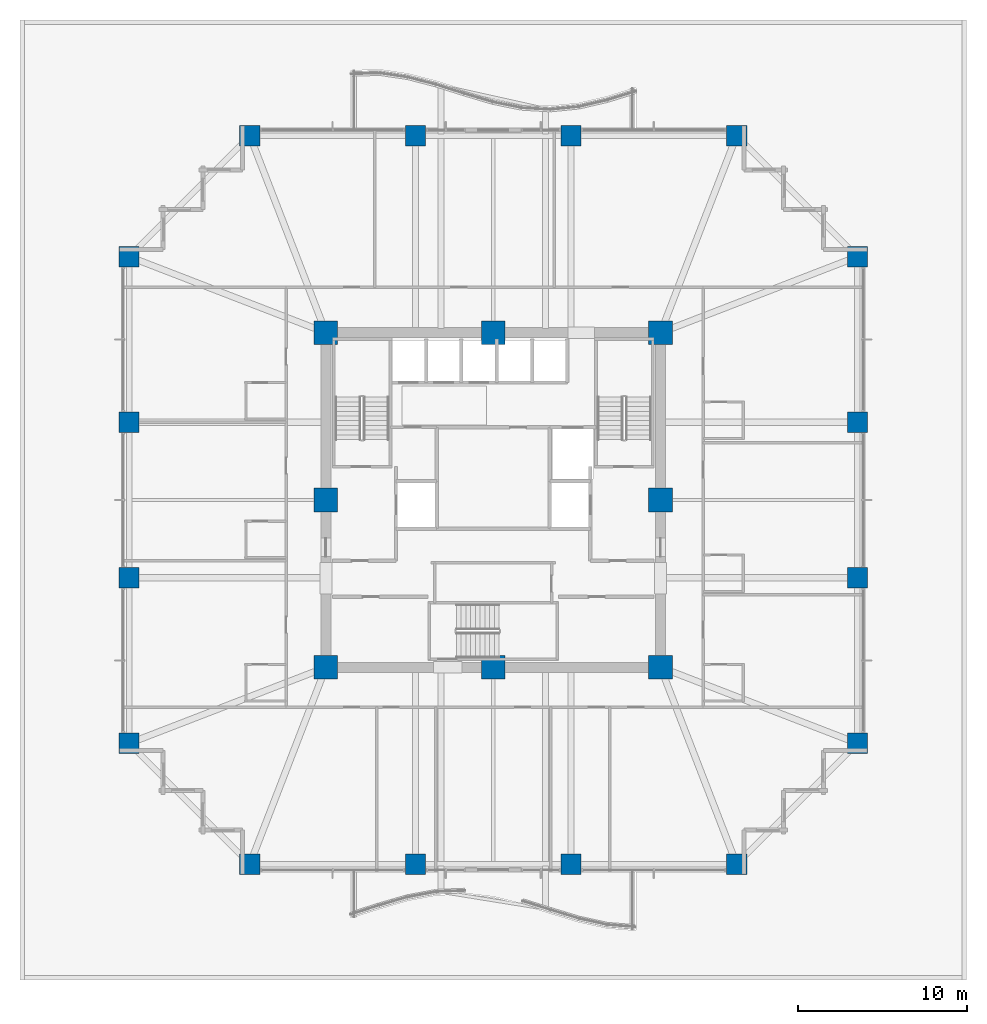
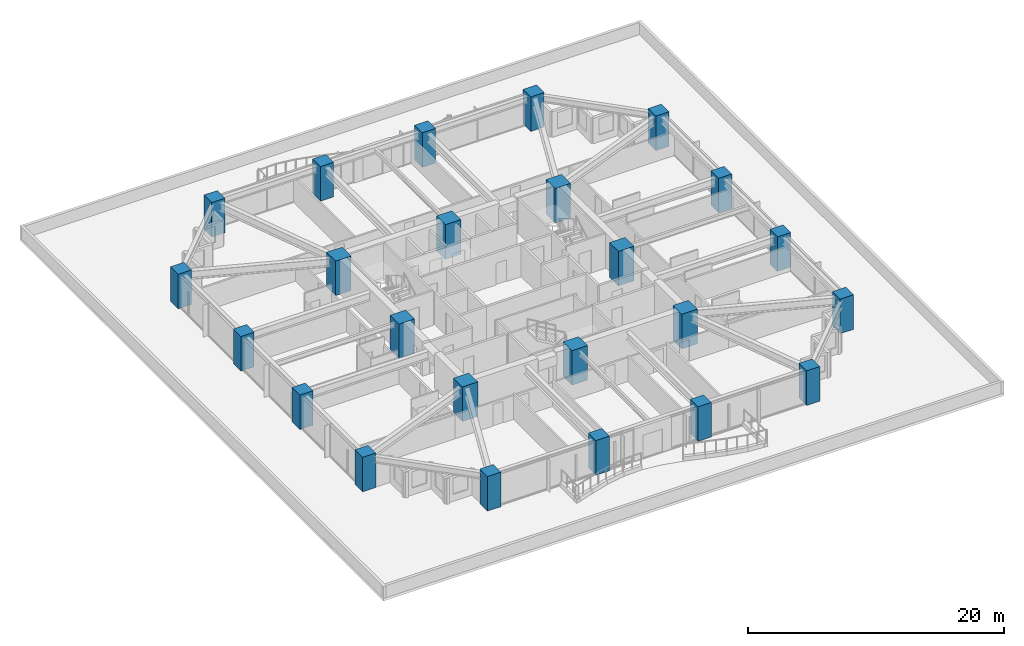
# One storey, part 1 of 36: 24 columns.
"""IFC4 building model written with IfcOpenShell, lengths in metres."""

from ifc_helpers import new_model, si_unit, direction, frame, origin, origin_2d, place, context, subcontext, project, spatial, rectangle, extrude, material, material_profile, profile_set, type_object, element, save


model = new_model("IFC4")

# Units and contexts
model_context = context("Model", 3, precision=1e-05, world=origin(), true_north=direction((0.0, 1.0)))
body_context = subcontext(model_context, "Body", "Model", "MODEL_VIEW")
ifc_project = project(units=[si_unit("LENGTHUNIT", "METRE"), si_unit("AREAUNIT", "SQUARE_METRE"), si_unit("VOLUMEUNIT", "CUBIC_METRE"), si_unit("PLANEANGLEUNIT", "RADIAN"), si_unit("MASSUNIT", "GRAM", prefix="KILO")], contexts=[model_context])

# Site, building, storey
site_placement = place(None, origin())
site = spatial("IfcSite", under=ifc_project, at=site_placement, CompositionType="ELEMENT")
building_placement = place(site_placement, origin())
building = spatial("IfcBuilding", under=site, at=building_placement, Name="Kolvaren Belvedere", CompositionType="ELEMENT")
storey_placement = place(building_placement, frame((0.0, 0.0, 23.800048828125)))
storey = spatial("IfcBuildingStorey", under=building, at=storey_placement, Name="L06", CompositionType="ELEMENT", Elevation=23.800048828125)

# Columns
ifc_material_1 = material(Name="Concrete C60/75", Category="concrete")
ifc_material_profile_1 = material_profile(ifc_material_1, rectangle(XDim=1.199951171875, YDim=1.199951171875, at=origin_2d()), Name="RC 1200X1200")
ifc_profile_set_1 = profile_set([ifc_material_profile_1], Name="Concrete C60/75")
column_type_1 = type_object("IfcColumnType", Name="COL-RC-1200", PredefinedType="COLUMN", material=ifc_profile_set_1)
for number, where, z_axis, x_axis, name in (
    (1, (-14.39990234375, -21.550048828125, 0.0), (0.0, 0.0, 1.0), (1.0, 0.0, 0.0), "L06 Perimeter Column S1"),
    (2, (-4.60009765625, -21.550048828125, 0.0), (0.0, 0.0, 1.0), (1.0, 0.0, 0.0), "L06 Perimeter Column S2"),
    (3, (4.60009765625, -21.550048828125, 0.0), (0.0, 0.0, 1.0), (1.0, 0.0, 0.0), "L06 Perimeter Column S3"),
    (4, (14.39990234375, -21.550048828125, 0.0), (0.0, 0.0, 1.0), (1.0, 0.0, 0.0), "L06 Perimeter Column S4"),
    (5, (-14.39990234375, 21.550048828125, 0.0), (0.0, 0.0, 1.0), (1.0, 0.0, 0.0), "L06 Perimeter Column N1"),
    (6, (-4.60009765625, 21.550048828125, 0.0), (0.0, 0.0, 1.0), (1.0, 0.0, 0.0), "L06 Perimeter Column N2"),
    (7, (4.60009765625, 21.550048828125, 0.0), (0.0, 0.0, 1.0), (1.0, 0.0, 0.0), "L06 Perimeter Column N3"),
    (8, (14.39990234375, 21.550048828125, 0.0), (0.0, 0.0, 1.0), (1.0, 0.0, 0.0), "L06 Perimeter Column N4"),
    (9, (-21.550048828125, -14.39990234375, 0.0), (0.0, 0.0, 1.0), (1.0, 0.0, 0.0), "L06 Perimeter Column W1"),
    (10, (-21.550048828125, -4.60009765625, 0.0), (0.0, 0.0, 1.0), (1.0, 0.0, 0.0), "L06 Perimeter Column W2"),
    (11, (-21.550048828125, 4.60009765625, 0.0), (0.0, 0.0, 1.0), (1.0, 0.0, 0.0), "L06 Perimeter Column W3"),
    (12, (-21.550048828125, 14.39990234375, 0.0), (0.0, 0.0, 1.0), (1.0, 0.0, 0.0), "L06 Perimeter Column W4"),
    (13, (21.550048828125, -14.39990234375, 0.0), (0.0, 0.0, 1.0), (1.0, 0.0, 0.0), "L06 Perimeter Column E1"),
    (14, (21.550048828125, -4.60009765625, 0.0), (0.0, 0.0, 1.0), (1.0, 0.0, 0.0), "L06 Perimeter Column E2"),
    (15, (21.550048828125, 4.60009765625, 0.0), (0.0, 0.0, 1.0), (1.0, 0.0, 0.0), "L06 Perimeter Column E3"),
    (16, (21.550048828125, 14.39990234375, 0.0), (0.0, 0.0, 1.0), (1.0, 0.0, 0.0), "L06 Perimeter Column E4"),
):
    element("IfcColumn", number, at=place(storey_placement, frame(where, z_axis=z_axis, x_axis=x_axis)), inside=storey, type_object=column_type_1, Name=name, PredefinedType="COLUMN", context=body_context, shape_type="SweptSolid", body=[
        extrude(rectangle(XDim=1.199951171875, YDim=1.199951171875, at=origin_2d()), origin(), (0.0, 0.0, 1.0), 3.300048828125),
    ])
ifc_material_2 = material(Name="Concrete C60/75", Category="concrete")
ifc_material_profile_2 = material_profile(ifc_material_2, rectangle(XDim=1.39990234375, YDim=1.39990234375, at=origin_2d()), Name="RC 1400X1400")
ifc_profile_set_2 = profile_set([ifc_material_profile_2], Name="Concrete C60/75")
column_type_2 = type_object("IfcColumnType", Name="COL-RC-1400", PredefinedType="COLUMN", material=ifc_profile_set_2)
for number, where, z_axis, x_axis, name in (
    (17, (-9.89990234375, -9.89990234375, 0.0), (0.0, 0.0, 1.0), (1.0, 0.0, 0.0), "L06 Core Column CC1"),
    (18, (9.89990234375, -9.89990234375, 0.0), (0.0, 0.0, 1.0), (1.0, 0.0, 0.0), "L06 Core Column CC2"),
    (19, (9.89990234375, 9.89990234375, 0.0), (0.0, 0.0, 1.0), (1.0, 0.0, 0.0), "L06 Core Column CC3"),
    (20, (-9.89990234375, 9.89990234375, 0.0), (0.0, 0.0, 1.0), (1.0, 0.0, 0.0), "L06 Core Column CC4"),
    (21, (0.0, -9.89990234375, 0.0), (0.0, 0.0, 1.0), (1.0, 0.0, 0.0), "L06 Core Column CM1"),
    (22, (9.89990234375, 0.0, 0.0), (0.0, 0.0, 1.0), (1.0, 0.0, 0.0), "L06 Core Column CM2"),
    (23, (0.0, 9.89990234375, 0.0), (0.0, 0.0, 1.0), (1.0, 0.0, 0.0), "L06 Core Column CM3"),
    (24, (-9.89990234375, 0.0, 0.0), (0.0, 0.0, 1.0), (1.0, 0.0, 0.0), "L06 Core Column CM4"),
):
    element("IfcColumn", number, at=place(storey_placement, frame(where, z_axis=z_axis, x_axis=x_axis)), inside=storey, type_object=column_type_2, Name=name, PredefinedType="COLUMN", context=body_context, shape_type="SweptSolid", body=[
        extrude(rectangle(XDim=1.39990234375, YDim=1.39990234375, at=origin_2d()), origin(), (0.0, 0.0, 1.0), 3.300048828125),
    ])

save(model, "model.ifc")
